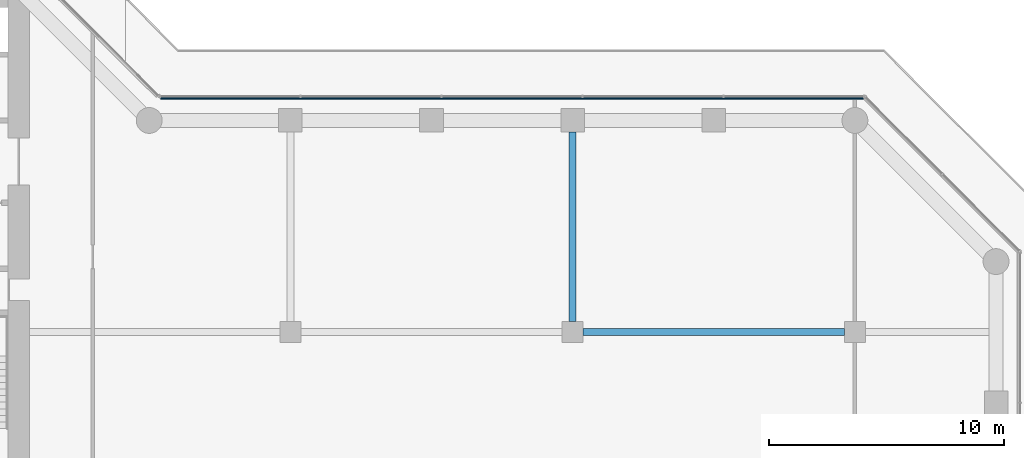
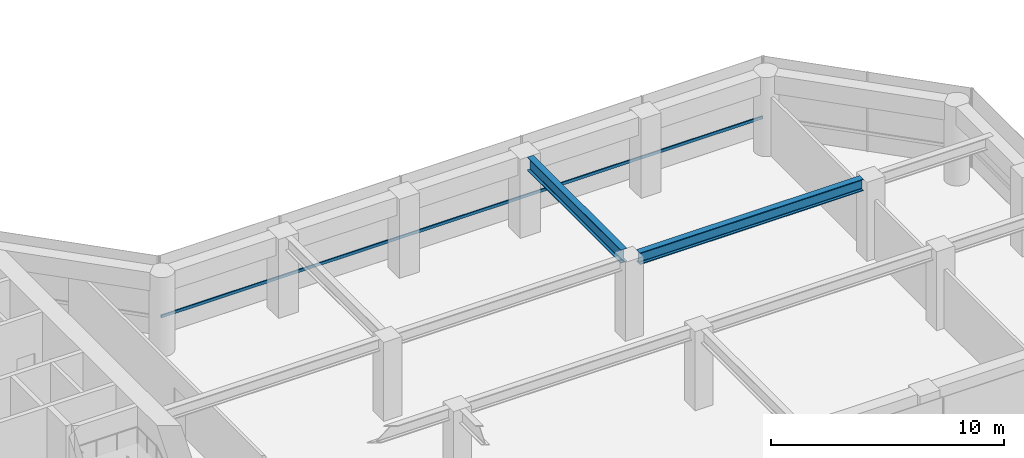
# One storey, part 9 of 24: 2 beams, 1 member, 1 element without a shape of its own.
"""IFC4 building model written with IfcOpenShell, lengths in metres."""

from ifc_helpers import new_model, si_unit, direction, frame, origin, origin_2d, place, context, subcontext, project, spatial, rectangle, i_section, extrude, material, layer, layer_set, material_profile, profile_set, type_object, element, aggregate, save


model = new_model("IFC4")

# Units and contexts
model_context = context("Model", 3, precision=1e-05, world=origin(), true_north=direction((0.0, 1.0)))
body_context = subcontext(model_context, "Body", "Model", "MODEL_VIEW")
ifc_project = project(units=[si_unit("LENGTHUNIT", "METRE"), si_unit("AREAUNIT", "SQUARE_METRE"), si_unit("VOLUMEUNIT", "CUBIC_METRE"), si_unit("PLANEANGLEUNIT", "RADIAN"), si_unit("MASSUNIT", "GRAM", prefix="KILO")], contexts=[model_context])

# Site, building, storey
site_placement = place(None, origin())
site = spatial("IfcSite", under=ifc_project, at=site_placement, CompositionType="ELEMENT")
building_placement = place(site_placement, origin())
building = spatial("IfcBuilding", under=site, at=building_placement, Name="Welwitschia Terrace Campus", CompositionType="ELEMENT")
storey_placement = place(building_placement, frame((0.0, 0.0, 24.5)))
storey = spatial("IfcBuildingStorey", under=building, at=storey_placement, Name="L05", CompositionType="ELEMENT", Elevation=24.5)

# Beams
ifc_material_1 = material(Name="Steel S355", Category="steel")
ifc_material_profile_1 = material_profile(ifc_material_1, i_section(OverallWidth=0.304931640625, OverallDepth=0.6201171875, WebThickness=0.02099609375, FlangeThickness=0.0400390625, FilletRadius=0.027099609375, at=origin_2d()))
ifc_profile_set_1 = profile_set([ifc_material_profile_1], Name="Steel S355")
beam_type_1 = type_object("IfcBeamType", Name="Interior girder HE 600 M", PredefinedType="BEAM", material=ifc_profile_set_1)
beam_1_placement = place(storey_placement, frame((48.450439453125, 11.0, 3.840087890625), z_axis=(1.0, 0.0, 0.0), x_axis=(0.0, 1.0, 0.0)))
element("IfcBeam", 1, at=beam_1_placement, inside=storey, type_object=beam_type_1, Name="Girder GB1", PredefinedType="BEAM", context=body_context, shape_type="SweptSolid", body=[
    extrude(i_section(OverallWidth=0.304931640625, OverallDepth=0.6201171875, WebThickness=0.02099609375, FlangeThickness=0.0400390625, FilletRadius=0.027099609375, at=origin_2d()), origin(), (0.0, 0.0, 1.0), 11.09912109375),
])
ifc_material_2 = material(Name="Steel S355", Category="steel")
ifc_material_profile_2 = material_profile(ifc_material_2, i_section(OverallWidth=0.300048828125, OverallDepth=0.699951171875, WebThickness=0.01708984375, FlangeThickness=0.031982421875, FilletRadius=0.027099609375, at=origin_2d()))
ifc_profile_set_2 = profile_set([ifc_material_profile_2], Name="Steel S355")
beam_type_2 = type_object("IfcBeamType", Name="Primary beam HE 700 B", PredefinedType="BEAM", material=ifc_profile_set_2)
beam_2_placement = place(storey_placement, frame((48.0, 19.49951171875, 3.800048828125), z_axis=(0.0, -1.0, 0.0), x_axis=(1.0, 0.0, 0.0)))
element("IfcBeam", 2, at=beam_2_placement, inside=storey, type_object=beam_type_2, Name="Primary beam PB1", PredefinedType="BEAM", context=body_context, shape_type="SweptSolid", body=[
    extrude(i_section(OverallWidth=0.300048828125, OverallDepth=0.699951171875, WebThickness=0.01708984375, FlangeThickness=0.031982421875, FilletRadius=0.027099609375, at=origin_2d()), origin(), (0.0, 0.0, 1.0), 8.049072265625),
])

# Curtain wall, member
ifc_material_3 = material(Name="Bronze anodised aluminium", Category="aluminium")
ifc_layer = layer(ifc_material_3, 0.1201171875)
ifc_layer_set = layer_set([ifc_layer], Name="Bronze anodised aluminium")
curtain_wall_type = type_object("IfcCurtainWallType", Name="Curtain wall CW2 tower 6000", PredefinedType="NOTDEFINED", material=ifc_layer_set)
curtain_wall_placement = place(storey_placement, origin())
curtain_wall = element("IfcCurtainWall", 3, at=curtain_wall_placement, inside=storey, type_object=curtain_wall_type, Name="CW L05.5.0", PredefinedType="NOTDEFINED")
ifc_material_4 = material(Name="Bronze anodised aluminium", Category="aluminium")
ifc_material_profile_3 = material_profile(ifc_material_4, rectangle(XDim=0.06005859375, YDim=0.14990234375, at=origin_2d()))
ifc_profile_set_3 = profile_set([ifc_material_profile_3], Name="Bronze anodised aluminium")
member_type = type_object("IfcMemberType", Name="Transom 60x150", PredefinedType="USERDEFINED", material=ifc_profile_set_3)
member_placement = place(storey_placement, frame((60.362548828125, 20.929931640625, 1.0), z_axis=(-1.0, 0.0, 0.0), x_axis=(0.0, -1.0, 0.0)))
member = element("IfcMember", 4, at=member_placement, type_object=member_type, Name="Transom L05.5.0", ObjectType="TRANSOM", PredefinedType="USERDEFINED", context=body_context, shape_type="SweptSolid", body=[
    extrude(rectangle(XDim=0.06005859375, YDim=0.14990234375, at=origin_2d()), origin(), (0.0, 0.0, 1.0), 29.880126953125),
])
aggregate(curtain_wall, [member])

save(model, "model.ifc")
